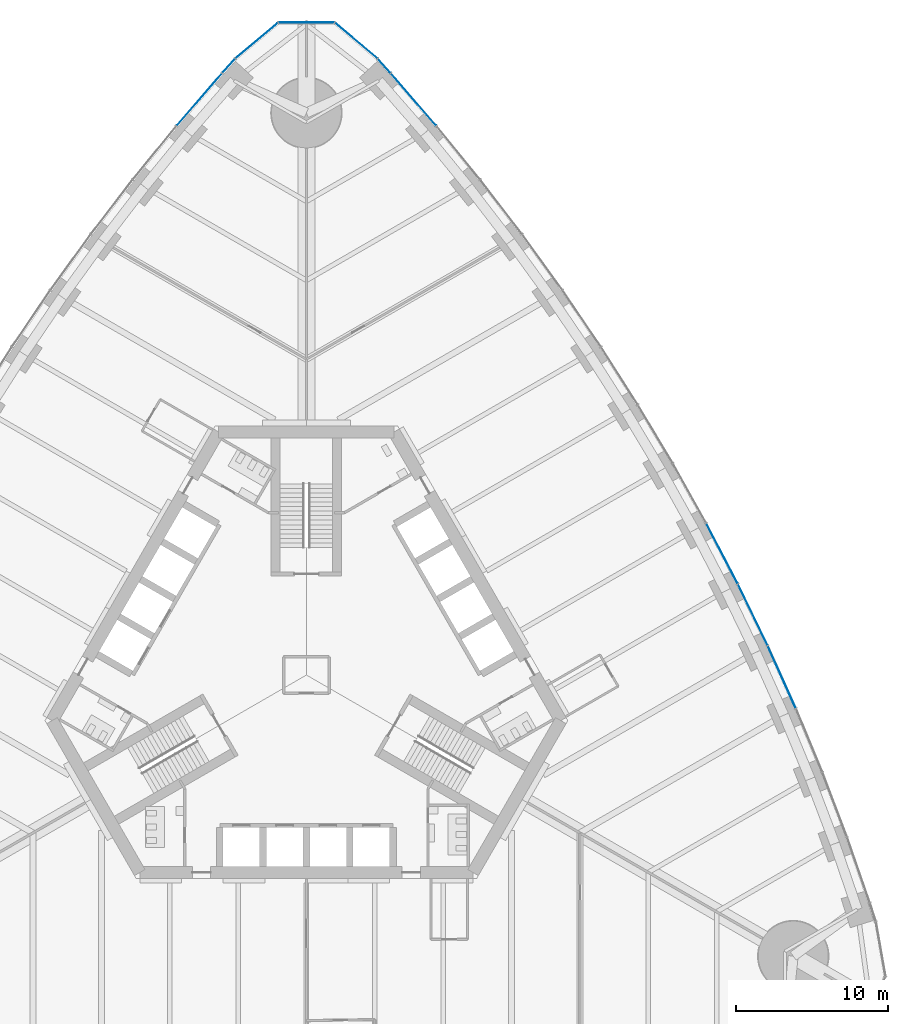
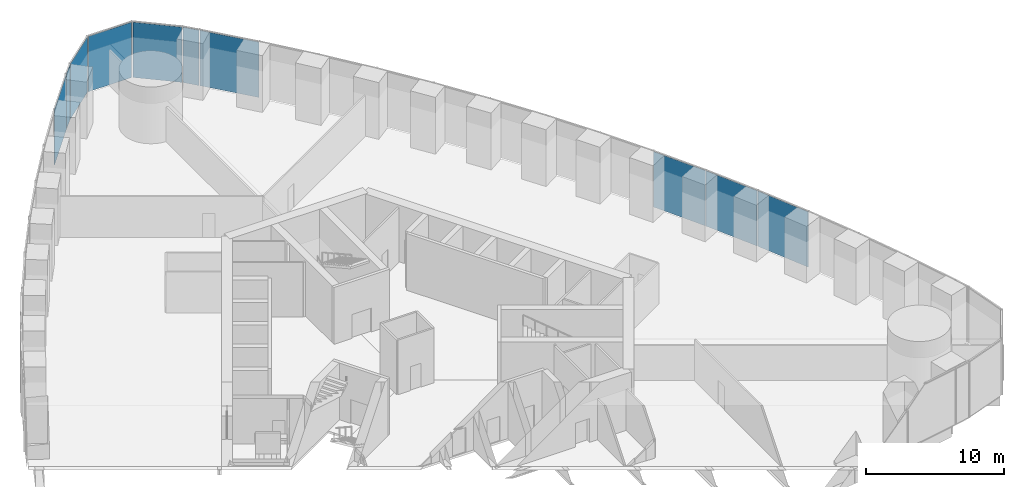
# One storey, part 14 of 21: 10 plates, 3 elements without a shape of their own.
"""IFC4 building model written with IfcOpenShell, lengths in metres."""

from ifc_helpers import new_model, si_unit, direction, frame, origin, origin_2d, place, context, subcontext, project, spatial, rectangle, extrude, material, layer, layer_set, type_object, element, aggregate, save


model = new_model("IFC4")

# Units and contexts
model_context = context("Model", 3, precision=1e-05, world=origin(), true_north=direction((0.0, 1.0)))
body_context = subcontext(model_context, "Body", "Model", "MODEL_VIEW")
ifc_project = project(units=[si_unit("LENGTHUNIT", "METRE"), si_unit("AREAUNIT", "SQUARE_METRE"), si_unit("VOLUMEUNIT", "CUBIC_METRE"), si_unit("PLANEANGLEUNIT", "RADIAN"), si_unit("MASSUNIT", "GRAM", prefix="KILO")], contexts=[model_context])

# Site, building, storey
site_placement = place(None, origin())
site = spatial("IfcSite", under=ifc_project, at=site_placement, CompositionType="ELEMENT")
building_placement = place(site_placement, origin())
building = spatial("IfcBuilding", under=site, at=building_placement, Name="Trefoil Bronze Tower", CompositionType="ELEMENT")
storey_placement = place(building_placement, frame((0.0, 0.0, 6.5)))
storey = spatial("IfcBuildingStorey", under=building, at=storey_placement, Name="L01", CompositionType="ELEMENT", Elevation=6.5)

# Curtain wall, plates
ifc_material_1 = material(Name="Tinted solar-control glass", Category="glass")
curtain_wall_type_1 = type_object("IfcCurtainWallType", Name="Bronze podium storefront curtain wall", PredefinedType="USERDEFINED", material=ifc_material_1)
curtain_wall_1_placement = place(storey_placement, origin())
curtain_wall_1 = element("IfcCurtainWall", 1, at=curtain_wall_1_placement, inside=storey, type_object=curtain_wall_type_1, Name="CW-C L01 F2", ObjectType="CURTAIN WALL", PredefinedType="USERDEFINED")
ifc_material_2 = material(Name="Tinted solar-control glass", Category="glass")
ifc_layer_1 = layer(ifc_material_2, 0.030029296875)
ifc_layer_set_1 = layer_set([ifc_layer_1], Name="Bronze podium storefront curtain wall glass panel")
plate_type_1 = type_object("IfcPlateType", Name="Bronze podium storefront curtain wall glass panel", PredefinedType="CURTAIN_PANEL", material=ifc_layer_set_1)
plate_1_placement = place(storey_placement, frame((31.28857421875, -0.1337890625, 0.0), z_axis=(0.0, 0.0, 1.0), x_axis=(-0.40945635808, 0.912329705111, 0.0)))
plate_1 = element("IfcPlate", 2, at=plate_1_placement, type_object=plate_type_1, Name="CW-C L01 F2 panel 5", PredefinedType="CURTAIN_PANEL", context=body_context, shape_type="SweptSolid", body=[
    extrude(rectangle(XDim=4.46337890625, YDim=0.030029296875, at=origin_2d()), origin(), (0.0, 0.0, 1.0), 4.8798828125),
])
plate_2_placement = place(storey_placement, frame((29.3779296875, 3.962646484375, 0.0), z_axis=(0.0, 0.0, 1.0), x_axis=(-0.4358553457, 0.900016731858, 0.0)))
plate_2 = element("IfcPlate", 3, at=plate_2_placement, type_object=plate_type_1, Name="CW-C L01 F2 panel 6", PredefinedType="CURTAIN_PANEL", context=body_context, shape_type="SweptSolid", body=[
    extrude(rectangle(XDim=4.451904296875, YDim=0.030029296875, at=origin_2d()), origin(), (0.0, 0.0, 1.0), 4.8798828125),
])
plate_3_placement = place(storey_placement, frame((27.353271484375, 7.9931640625, 0.0), z_axis=(0.0, 0.0, 1.0), x_axis=(-0.46182981834, 0.886968555752, 0.0)))
plate_3 = element("IfcPlate", 4, at=plate_3_placement, type_object=plate_type_1, Name="CW-C L01 F2 panel 7", PredefinedType="CURTAIN_PANEL", context=body_context, shape_type="SweptSolid", body=[
    extrude(rectangle(XDim=4.4443359375, YDim=0.030029296875, at=origin_2d()), origin(), (0.0, 0.0, 1.0), 4.8798828125),
])
plate_4_placement = place(storey_placement, frame((7.056396484375, 37.870849609375, 0.0), z_axis=(0.0, 0.0, 1.0), x_axis=(-0.654376090833, 0.756169248083, 0.0)))
plate_4 = element("IfcPlate", 5, at=plate_4_placement, type_object=plate_type_1, Name="CW-C L01 F2 panel 15", PredefinedType="CURTAIN_PANEL", context=body_context, shape_type="SweptSolid", body=[
    extrude(rectangle(XDim=4.522216796875, YDim=0.030029296875, at=origin_2d()), origin(), (0.0, 0.0, 1.0), 4.8798828125),
])
plate_5_placement = place(storey_placement, frame((5.12451171875, 40.08447265625, 0.0), z_axis=(0.0, 0.0, 1.0), x_axis=(-0.668575006272, 0.743644714221, 0.0)))
plate_5 = element("IfcPlate", 6, at=plate_5_placement, type_object=plate_type_1, Name="CW-C L01 F2 panel 16", PredefinedType="CURTAIN_PANEL", context=body_context, shape_type="SweptSolid", body=[
    extrude(rectangle(XDim=1.23046875, YDim=0.030029296875, at=origin_2d()), origin(), (0.0, 0.0, 1.0), 4.8798828125),
])
aggregate(curtain_wall_1, [plate_1, plate_2, plate_3, plate_4, plate_5])

curtain_wall_2_placement = place(storey_placement, origin())
curtain_wall_2 = element("IfcCurtainWall", 7, at=curtain_wall_2_placement, inside=storey, type_object=curtain_wall_type_1, Name="CW-C L01 F3", ObjectType="CURTAIN WALL", PredefinedType="USERDEFINED")
plate_6_placement = place(storey_placement, frame((-5.12451171875, 40.08447265625, 0.0), z_axis=(0.0, 0.0, 1.0), x_axis=(-0.668575006272, -0.743644714221, 0.0)))
plate_6 = element("IfcPlate", 8, at=plate_6_placement, type_object=plate_type_1, Name="CW-C L01 F3 panel 1", PredefinedType="CURTAIN_PANEL", context=body_context, shape_type="SweptSolid", body=[
    extrude(rectangle(XDim=1.23046875, YDim=0.030029296875, at=origin_2d()), origin(), (0.0, 0.0, 1.0), 4.8798828125),
])
plate_7_placement = place(storey_placement, frame((-7.056396484375, 37.870849609375, 0.0), z_axis=(0.0, 0.0, 1.0), x_axis=(-0.654376090833, -0.756169248083, 0.0)))
plate_7 = element("IfcPlate", 9, at=plate_7_placement, type_object=plate_type_1, Name="CW-C L01 F3 panel 2", PredefinedType="CURTAIN_PANEL", context=body_context, shape_type="SweptSolid", body=[
    extrude(rectangle(XDim=4.522216796875, YDim=0.030029296875, at=origin_2d()), origin(), (0.0, 0.0, 1.0), 4.8798828125),
])
aggregate(curtain_wall_2, [plate_6, plate_7])

ifc_material_3 = material(Name="Tinted solar-control glass", Category="glass")
curtain_wall_type_2 = type_object("IfcCurtainWallType", Name="Bronze rounded corner curtain wall", PredefinedType="USERDEFINED", material=ifc_material_3)
curtain_wall_3_placement = place(storey_placement, origin())
curtain_wall_3 = element("IfcCurtainWall", 10, at=curtain_wall_3_placement, inside=storey, type_object=curtain_wall_type_2, Name="CW-B L01 K2", ObjectType="CURTAIN WALL", PredefinedType="USERDEFINED")
ifc_material_4 = material(Name="Tinted solar-control glass", Category="glass")
ifc_layer_2 = layer(ifc_material_4, 0.030029296875)
ifc_layer_set_2 = layer_set([ifc_layer_2], Name="Bronze rounded corner curtain wall glass panel")
plate_type_2 = type_object("IfcPlateType", Name="Bronze rounded corner curtain wall glass panel", PredefinedType="CURTAIN_PANEL", material=ifc_layer_set_2)
plate_8_placement = place(storey_placement, frame((3.28564453125, 41.74658203125, 0.0), z_axis=(0.0, 0.0, 1.0), x_axis=(-0.766044443119, 0.642787609687, 0.0)))
plate_8 = element("IfcPlate", 11, at=plate_8_placement, type_object=plate_type_2, Name="CW-B L01 K2 panel 1", PredefinedType="CURTAIN_PANEL", context=body_context, shape_type="SweptSolid", body=[
    extrude(rectangle(XDim=3.588134765625, YDim=0.030029296875, at=origin_2d()), origin(), (0.0, 0.0, 1.0), 4.8798828125),
])
plate_9_placement = place(storey_placement, frame((0.0, 42.9423828125, 0.0), z_axis=(0.0, 0.0, 1.0), x_axis=(-1.0, 0.0, 0.0)))
plate_9 = element("IfcPlate", 12, at=plate_9_placement, type_object=plate_type_2, Name="CW-B L01 K2 panel 2", PredefinedType="CURTAIN_PANEL", context=body_context, shape_type="SweptSolid", body=[
    extrude(rectangle(XDim=3.588134765625, YDim=0.030029296875, at=origin_2d()), origin(), (0.0, 0.0, 1.0), 4.8798828125),
])
plate_10_placement = place(storey_placement, frame((-3.28564453125, 41.74658203125, 0.0), z_axis=(0.0, 0.0, 1.0), x_axis=(-0.766044443119, -0.642787609687, 0.0)))
plate_10 = element("IfcPlate", 13, at=plate_10_placement, type_object=plate_type_2, Name="CW-B L01 K2 panel 3", PredefinedType="CURTAIN_PANEL", context=body_context, shape_type="SweptSolid", body=[
    extrude(rectangle(XDim=3.588134765625, YDim=0.030029296875, at=origin_2d()), origin(), (0.0, 0.0, 1.0), 4.8798828125),
])
aggregate(curtain_wall_3, [plate_8, plate_9, plate_10])

save(model, "model.ifc")
